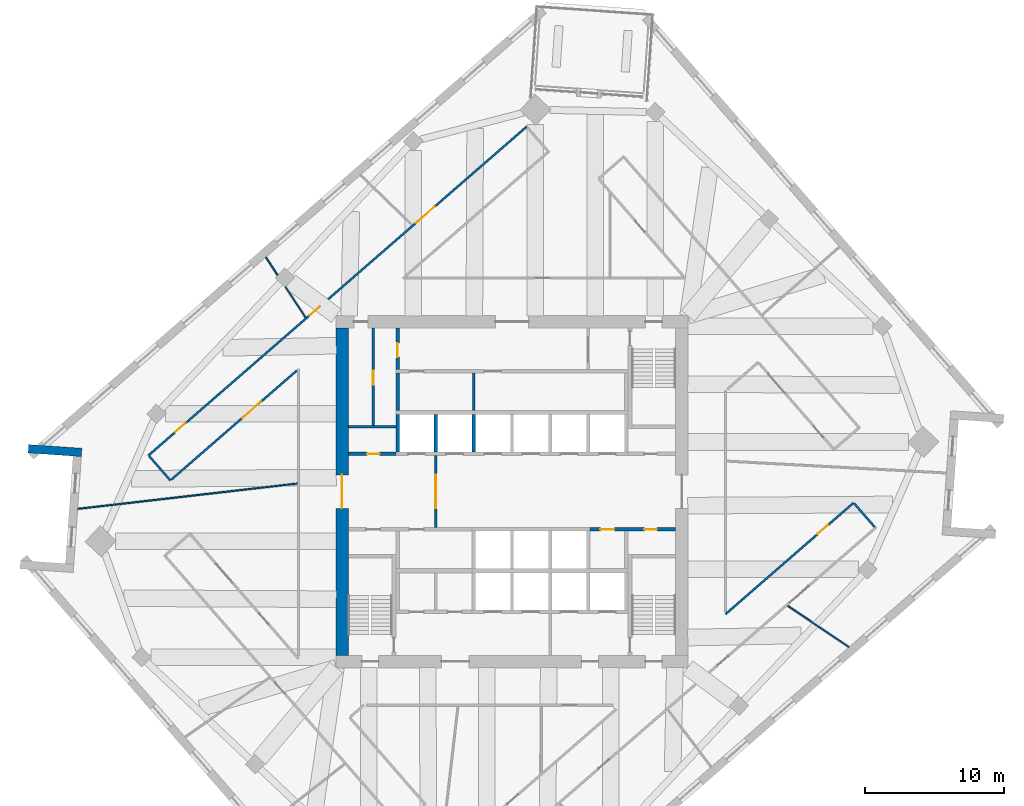
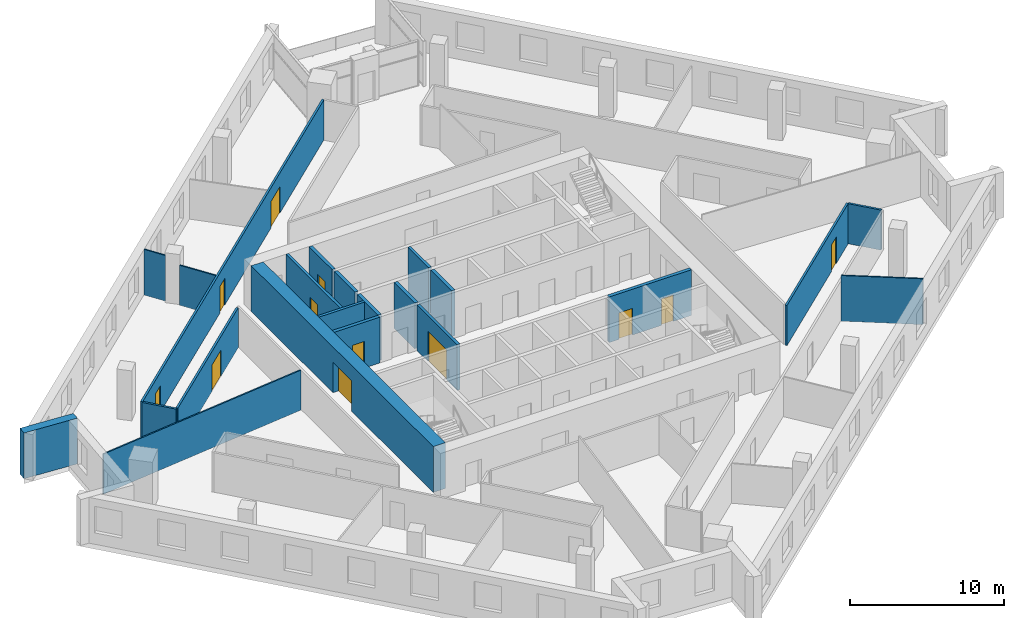
# One storey, part 6 of 11: 22 walls, 12 doors, 12 openings.
"""IFC4 building model written with IfcOpenShell, lengths in metres."""

import ifcopenshell
import ifcopenshell.guid

model = None  # the IFC model being written
_history = None  # IfcOwnerHistory: only IFC2X3 demands one
_inside = {}  # id of a spatial element -> (the spatial element, [elements in it])
_under = {}  # id of a project, library or spatial element -> (it, [spatial elements below it])
_declared = {}  # id of a project -> (the project, [libraries it declares])
_typed = {}  # id of a type object -> (the type object, [elements of that type])
_made_of = {}  # id of a material, layer set ... -> (it, [elements and type objects made of it])


def new_model(schema):
    """Start an empty IFC model of exactly this schema.

    Asked for "IFC4X3", IfcOpenShell would pick the latest addendum, in which some entities
    have other attributes; the version numbers below select the first issue.
    IFC2X3 requires an IfcOwnerHistory on every rooted entity: one is made here for all.
    """
    global model, _history
    if schema == "IFC4X3":
        model = ifcopenshell.file(schema_version=(4, 3, 0, 0))
    else:
        model = ifcopenshell.file(schema=schema)
    _inside.clear()
    _under.clear()
    _declared.clear()
    _typed.clear()
    _made_of.clear()
    _history = None
    if model.schema == "IFC2X3":
        org = make("IfcOrganization", Name="unknown")
        user = make(
            "IfcPersonAndOrganization",
            ThePerson=make("IfcPerson", FamilyName="unknown"),
            TheOrganization=org,
        )
        app = make(
            "IfcApplication",
            ApplicationDeveloper=org,
            Version="unknown",
            ApplicationFullName="unknown",
            ApplicationIdentifier="unknown",
        )
        _history = make(
            "IfcOwnerHistory",
            OwningUser=user,
            OwningApplication=app,
            ChangeAction="ADDED",
            CreationDate=0,
        )
    return model


def make(cls, **values):
    """One entity of the class cls with the attributes given. An attribute that is None is left unset."""
    return model.create_entity(
        cls, **{name: value for name, value in values.items() if value is not None}
    )


def rooted(cls, **values):
    """An entity with a GlobalId (a new one), such as an element, a storey or a relation."""
    return make(cls, GlobalId=ifcopenshell.guid.new(), OwnerHistory=_history, **values)


def si_unit(unit_type, name, prefix=None):
    """IfcSIUnit, for example si_unit("LENGTHUNIT", "METRE", prefix="MILLI")."""
    return make("IfcSIUnit", UnitType=unit_type, Prefix=prefix, Name=name)


def assignment(units):
    """IfcUnitAssignment: the units of a project."""
    return None if units is None else make("IfcUnitAssignment", Units=units)


def point(xyz):
    """IfcCartesianPoint."""
    return None if xyz is None else make("IfcCartesianPoint", Coordinates=xyz)


def direction(xyz):
    """IfcDirection."""
    return None if xyz is None else make("IfcDirection", DirectionRatios=xyz)


def frame(location, z_axis=None, x_axis=None):
    """IfcAxis2Placement3D, a coordinate frame: its origin and axes. An axis left out is left unset."""
    return make(
        "IfcAxis2Placement3D",
        Location=point(location),
        Axis=direction(z_axis),
        RefDirection=direction(x_axis),
    )


def frame_2d(location, x_axis=None):
    """IfcAxis2Placement2D, a coordinate frame in the plane: its origin and x axis."""
    return make(
        "IfcAxis2Placement2D", Location=point(location), RefDirection=direction(x_axis)
    )


def origin():
    """The frame at (0, 0, 0) with its axes left unset."""
    return frame((0.0, 0.0, 0.0))


def place(relative_to, where):
    """IfcLocalPlacement: puts the frame where relative to a parent placement (None: the world)."""
    return make(
        "IfcLocalPlacement", PlacementRelTo=relative_to, RelativePlacement=where
    )


def context(
    kind, dimensions, precision=None, world=None, true_north=None, identifier=None
):
    """IfcGeometricRepresentationContext, for example the 3D "Model" context."""
    return make(
        "IfcGeometricRepresentationContext",
        ContextIdentifier=identifier,
        ContextType=kind,
        CoordinateSpaceDimension=dimensions,
        Precision=precision,
        WorldCoordinateSystem=world,
        TrueNorth=true_north,
    )


def subcontext(parent, identifier, kind, view, scale=None):
    """IfcGeometricRepresentationSubContext, for example "Body" below "Model"."""
    return make(
        "IfcGeometricRepresentationSubContext",
        ContextIdentifier=identifier,
        ContextType=kind,
        ParentContext=parent,
        TargetScale=scale,
        TargetView=view,
    )


def project(units=None, contexts=None):
    """IfcProject with its units and contexts."""
    return rooted(
        "IfcProject",
        Name="project",
        RepresentationContexts=contexts,
        UnitsInContext=assignment(units),
    )


def spatial(cls, under=None, at=None, **own):
    """A site, building, storey or space (cls), placed at a placement, below another one or the project."""
    s = rooted(cls, ObjectPlacement=at, **own)
    if under is not None:
        _under.setdefault(under.id(), (under, []))[1].append(s)
    return s


def profile(cls, at=None, kind="AREA", **sizes):
    """A parametric profile (cls). Its sizes go by their IFC names, for example OverallWidth=200.0."""
    return make(cls, ProfileType=kind, Position=at, **sizes)


def rectangle(**sizes):
    """IfcRectangleProfileDef."""
    return profile("IfcRectangleProfileDef", **sizes)


def extrude(swept, where, along, depth):
    """IfcExtrudedAreaSolid: the profile swept, set in the frame where, extruded along a direction by depth."""
    return make(
        "IfcExtrudedAreaSolid",
        SweptArea=swept,
        Position=where,
        ExtrudedDirection=direction(along),
        Depth=depth,
    )


def shape(context_of_items, identifier, shape_type, items):
    """IfcShapeRepresentation: the items that make up one representation, for example the "Body"."""
    return make(
        "IfcShapeRepresentation",
        ContextOfItems=context_of_items,
        RepresentationIdentifier=identifier,
        RepresentationType=shape_type,
        Items=items,
    )


def material(Name=None, Category=None):
    """IfcMaterial."""
    return make("IfcMaterial", Name=Name, Category=Category)


def layer(
    of_material, thickness, ventilated=None, Name=None, Category=None, Priority=None
):
    """IfcMaterialLayer: one layer of a wall or slab, of a material (None: an air gap)."""
    return make(
        "IfcMaterialLayer",
        Material=of_material,
        LayerThickness=thickness,
        IsVentilated=ventilated,
        Name=Name,
        Category=Category,
        Priority=Priority,
    )


def layer_set(layers, Name=None):
    """IfcMaterialLayerSet."""
    return make("IfcMaterialLayerSet", MaterialLayers=layers, LayerSetName=Name)


def made_of(thing, what):
    """Note that an element or type object is made of a material, layer set ...; save() writes the relation."""
    if what is not None:
        _made_of.setdefault(what.id(), (what, []))[1].append(thing)
    return thing


def type_object(cls, material=None, **own):
    """A type object (cls), such as IfcWallType, which elements share."""
    return made_of(rooted(cls, **own), material)


def element(
    cls,
    number,
    at=None,
    inside=None,
    cuts=None,
    type_object=None,
    material=None,
    context=None,
    identifier="Body",
    shape_type=None,
    held_by="IfcProductDefinitionShape",
    body=None,
    shapes=None,
    **own,
):
    """One element of the class cls, such as IfcWall. Its Tag is "e" and its number.

    at: its placement. inside: the storey or other place that contains it. cuts: it is an
    opening in that element (IfcRelVoidsElement). A single representation is given by context,
    identifier, shape_type and body (its items); several are given by shapes. held_by: the class
    of the entity that holds the representations. save() writes the other relations.
    """
    e = rooted(cls, Tag="e%d" % number, ObjectPlacement=at, **own)
    if body is not None:
        shapes = [shape(context, identifier, shape_type, body)]
    if shapes is not None:
        e.Representation = make(held_by, Representations=shapes)
    if inside is not None:
        _inside.setdefault(inside.id(), (inside, []))[1].append(e)
    if cuts is not None:
        rooted(
            "IfcRelVoidsElement", RelatingBuildingElement=cuts, RelatedOpeningElement=e
        )
    if type_object is not None:
        _typed.setdefault(type_object.id(), (type_object, []))[1].append(e)
    return made_of(e, material)


def fill(opening, filler):
    """IfcRelFillsElement: the door or window that sits in an opening."""
    return rooted(
        "IfcRelFillsElement",
        RelatingOpeningElement=opening,
        RelatedBuildingElement=filler,
    )


def aggregate(whole, parts):
    """IfcRelAggregates: a whole, such as a stair, and the parts it consists of."""
    return rooted("IfcRelAggregates", RelatingObject=whole, RelatedObjects=parts)


def save(model, path):
    """Write the relations noted so far, then the file.

    IfcRelAggregates (storeys below a building ...), IfcRelContainedInSpatialStructure (elements
    in a storey), IfcRelDefinesByType, IfcRelAssociatesMaterial and IfcRelDeclares: one each for
    every whole, place, type object, material and project.
    """
    for whole, parts in _under.values():
        aggregate(whole, parts)
    for where, things in _inside.values():
        rooted(
            "IfcRelContainedInSpatialStructure",
            RelatedElements=things,
            RelatingStructure=where,
        )
    for kind, things in _typed.values():
        rooted("IfcRelDefinesByType", RelatedObjects=things, RelatingType=kind)
    for what, things in _made_of.values():
        rooted("IfcRelAssociatesMaterial", RelatedObjects=things, RelatingMaterial=what)
    for by, libraries in _declared.values():
        rooted("IfcRelDeclares", RelatingContext=by, RelatedDefinitions=libraries)
    model.write(path)


model = new_model("IFC4")

# Units and contexts
model_context = context("Model", 3, precision=1e-05, world=origin(), true_north=direction((0.0, 1.0)))
body_context = subcontext(model_context, "Body", "Model", "MODEL_VIEW")
ifc_project = project(units=[si_unit("LENGTHUNIT", "METRE"), si_unit("AREAUNIT", "SQUARE_METRE"), si_unit("VOLUMEUNIT", "CUBIC_METRE"), si_unit("PLANEANGLEUNIT", "RADIAN"), si_unit("MASSUNIT", "GRAM", prefix="KILO")], contexts=[model_context])

# Site, building, storey
site_placement = place(None, origin())
site = spatial("IfcSite", under=ifc_project, at=site_placement, CompositionType="ELEMENT")
building_placement = place(site_placement, origin())
building = spatial("IfcBuilding", under=site, at=building_placement, Name="Dilmun Exchange Tower", CompositionType="ELEMENT")
storey_placement = place(building_placement, frame((0.0, 0.0, 193.300048828125)))
storey = spatial("IfcBuildingStorey", under=building, at=storey_placement, Name="L45", CompositionType="ELEMENT", Elevation=193.300048828125)

# Wall, opening, door
ifc_material_1 = material(Name="Concrete C40/50", Category="concrete")
ifc_layer_1 = layer(ifc_material_1, 0.199951171875)
ifc_layer_set_1 = layer_set([ifc_layer_1], Name="Concrete C40/50")
wall_type_1 = type_object("IfcWallType", Name="Core partition wall 200", PredefinedType="PARTITIONING", material=ifc_layer_set_1)
wall_1_placement = place(storey_placement, frame((-5.5, -2.594970703125, 0.0), z_axis=(0.0, 0.0, 1.0), x_axis=(0.0, 1.0, 0.0)))
wall_1 = element("IfcWall", 1, at=wall_1_placement, inside=storey, type_object=wall_type_1, Name="L45 core partition wall 10", PredefinedType="PARTITIONING", context=body_context, shape_type="SweptSolid", body=[
    extrude(rectangle(XDim=5.18994140625, YDim=0.199951171875, at=frame_2d((2.594970703125, 0.0))), origin(), (0.0, 0.0, 1.0), 3.619873046875),
])
opening_1_placement = place(wall_1_placement, frame((1.39501953125, 0.0, 0.0)))
opening_1 = element("IfcOpeningElement", 2, at=opening_1_placement, cuts=wall_1, Name="Opening CD1", PredefinedType="OPENING", context=body_context, shape_type="SweptSolid", body=[
    extrude(rectangle(XDim=2.39990234375, YDim=2.39990234375, at=frame_2d((1.199951171875, 1.199951171875))), frame((0.0, 0.10986328125, 0.0), z_axis=(0.0, -1.0, 0.0), x_axis=(1.0, 0.0, 0.0)), (0.0, 0.0, 1.0), 0.219970703125),
])
ifc_material_2 = material(Name="Fire-rated steel door set", Category="steel")
door_type_1 = type_object("IfcDoorType", Name="Core lobby door 2400x2400", OperationType="DOUBLE_DOOR_DOUBLE_SWING", PredefinedType="DOOR", material=ifc_material_2)
door_1_placement = place(opening_1_placement, origin())
door_1 = element("IfcDoor", 3, at=door_1_placement, inside=storey, type_object=door_type_1, Name="L45 door Lift lobby east", OperationType="DOUBLE_DOOR_DOUBLE_SWING", OverallHeight=2.39990234375, OverallWidth=2.39990234375, PredefinedType="DOOR", context=body_context, shape_type="SweptSolid", body=[
    extrude(rectangle(XDim=2.39990234375, YDim=2.39990234375, at=frame_2d((1.199951171875, 1.199951171875))), frame((0.0, 0.02490234375, 0.0), z_axis=(0.0, -1.0, 0.0), x_axis=(1.0, 0.0, 0.0)), (0.0, 0.0, 1.0), 0.050048828125),
])
fill(opening_1, door_1)

# Wall
wall_2_placement = place(storey_placement, frame((-11.794921875, 4.675048828125, 0.0), z_axis=(0.0, 0.0, 1.0), x_axis=(1.0, 0.0, 0.0)))
element("IfcWall", 4, at=wall_2_placement, inside=storey, type_object=wall_type_1, Name="L45 core partition wall 13", PredefinedType="PARTITIONING", context=body_context, shape_type="SweptSolid", body=[
    extrude(rectangle(XDim=3.4150390625, YDim=0.199951171875, at=frame_2d((1.70751953125, 0.0))), origin(), (0.0, 0.0, 1.0), 3.619873046875),
])

# Wall, opening, door
wall_3_placement = place(storey_placement, frame((-10.0, 4.780029296875, 0.0), z_axis=(0.0, 0.0, 1.0), x_axis=(0.0, 1.0, 0.0)))
wall_3 = element("IfcWall", 5, at=wall_3_placement, inside=storey, type_object=wall_type_1, Name="L45 core partition wall 14", PredefinedType="PARTITIONING", context=body_context, shape_type="SweptSolid", body=[
    extrude(rectangle(XDim=7.014892578125, YDim=0.199951171875, at=frame_2d((3.50732421875, 0.0))), origin(), (0.0, 0.0, 1.0), 3.619873046875),
])
opening_2_placement = place(wall_3_placement, frame((2.919921875, 0.0, 0.0)))
opening_2 = element("IfcOpeningElement", 6, at=opening_2_placement, cuts=wall_3, Name="Opening CD4", PredefinedType="OPENING", context=body_context, shape_type="SweptSolid", body=[
    extrude(rectangle(XDim=1.0, YDim=2.10009765625, at=frame_2d((0.5, 1.050048828125))), frame((0.0, 0.10986328125, 0.0), z_axis=(0.0, -1.0, 0.0), x_axis=(1.0, 0.0, 0.0)), (0.0, 0.0, 1.0), 0.219970703125),
])
door_type_2 = type_object("IfcDoorType", Name="Core room door 1000x2100", OperationType="SINGLE_SWING_LEFT", PredefinedType="DOOR", material=ifc_material_2)
door_2_placement = place(opening_2_placement, origin())
door_2 = element("IfcDoor", 7, at=door_2_placement, inside=storey, type_object=door_type_2, Name="L45 door Comms room", OperationType="SINGLE_SWING_RIGHT", OverallHeight=2.10009765625, OverallWidth=1.0, PredefinedType="DOOR", context=body_context, shape_type="SweptSolid", body=[
    extrude(rectangle(XDim=1.0, YDim=2.10009765625, at=frame_2d((0.5, 1.050048828125))), frame((0.0, 0.02490234375, 0.0), z_axis=(0.0, -1.0, 0.0), x_axis=(1.0, 0.0, 0.0)), (0.0, 0.0, 1.0), 0.050048828125),
])
fill(opening_2, door_2)

# Wall
wall_4_placement = place(storey_placement, frame((-2.75, 5.85498046875, 0.0), z_axis=(0.0, 0.0, 1.0), x_axis=(0.0, 1.0, 0.0)))
element("IfcWall", 8, at=wall_4_placement, inside=storey, type_object=wall_type_1, Name="L45 core partition wall 16", PredefinedType="PARTITIONING", context=body_context, shape_type="SweptSolid", body=[
    extrude(rectangle(XDim=2.68994140625, YDim=0.199951171875, at=frame_2d((1.344970703125, 0.0))), origin(), (0.0, 0.0, 1.0), 3.619873046875),
])

# Wall, openings, doors
ifc_layer_2 = layer(ifc_material_1, 0.25)
ifc_layer_set_2 = layer_set([ifc_layer_2], Name="Concrete C40/50")
wall_type_2 = type_object("IfcWallType", Name="Core partition wall 250", PredefinedType="PARTITIONING", material=ifc_layer_set_2)
wall_5_placement = place(storey_placement, frame((5.6298828125, -2.72509765625, 0.0), z_axis=(0.0, 0.0, 1.0), x_axis=(1.0, 0.0, 0.0)))
wall_5 = element("IfcWall", 9, at=wall_5_placement, inside=storey, type_object=wall_type_2, Name="L45 core partition wall 09", PredefinedType="PARTITIONING", context=body_context, shape_type="SweptSolid", body=[
    extrude(rectangle(XDim=6.1650390625, YDim=0.25, at=frame_2d((3.08251953125, 0.0))), origin(), (0.0, 0.0, 1.0), 3.619873046875),
])
opening_3_placement = place(wall_5_placement, frame((0.7451171875, 0.0, 0.0)))
opening_3 = element("IfcOpeningElement", 10, at=opening_3_placement, cuts=wall_5, Name="Opening CD4", PredefinedType="OPENING", context=body_context, shape_type="SweptSolid", body=[
    extrude(rectangle(XDim=1.0, YDim=2.10009765625, at=frame_2d((0.5, 1.050048828125))), frame((0.0, 0.135009765625, 0.0), z_axis=(0.0, -1.0, 0.0), x_axis=(1.0, 0.0, 0.0)), (0.0, 0.0, 1.0), 0.27001953125),
])
opening_4_placement = place(wall_5_placement, frame((3.919921875, 0.0, 0.0)))
opening_4 = element("IfcOpeningElement", 11, at=opening_4_placement, cuts=wall_5, Name="Opening CD6", PredefinedType="OPENING", context=body_context, shape_type="SweptSolid", body=[
    extrude(rectangle(XDim=0.89990234375, YDim=2.10009765625, at=frame_2d((0.449951171875, 1.050048828125))), frame((0.0, 0.135009765625, 0.0), z_axis=(0.0, -1.0, 0.0), x_axis=(1.0, 0.0, 0.0)), (0.0, 0.0, 1.0), 0.27001953125),
])
door_3_placement = place(opening_3_placement, origin())
door_3 = element("IfcDoor", 12, at=door_3_placement, inside=storey, type_object=door_type_2, Name="L45 door Cleaners' store", OperationType="SINGLE_SWING_RIGHT", OverallHeight=2.10009765625, OverallWidth=1.0, PredefinedType="DOOR", context=body_context, shape_type="SweptSolid", body=[
    extrude(rectangle(XDim=1.0, YDim=2.10009765625, at=frame_2d((0.5, 1.050048828125))), frame((0.0, 0.02490234375, 0.0), z_axis=(0.0, -1.0, 0.0), x_axis=(1.0, 0.0, 0.0)), (0.0, 0.0, 1.0), 0.050048828125),
])
fill(opening_3, door_3)
door_type_3 = type_object("IfcDoorType", Name="Core room door 900x2100", OperationType="SINGLE_SWING_LEFT", PredefinedType="DOOR", material=ifc_material_2)
door_4_placement = place(opening_4_placement, origin())
door_4 = element("IfcDoor", 13, at=door_4_placement, inside=storey, type_object=door_type_3, Name="L45 door Comms riser", OperationType="SINGLE_SWING_RIGHT", OverallHeight=2.10009765625, OverallWidth=0.89990234375, PredefinedType="DOOR", context=body_context, shape_type="SweptSolid", body=[
    extrude(rectangle(XDim=0.89990234375, YDim=2.10009765625, at=frame_2d((0.449951171875, 1.050048828125))), frame((0.0, 0.02490234375, 0.0), z_axis=(0.0, -1.0, 0.0), x_axis=(1.0, 0.0, 0.0)), (0.0, 0.0, 1.0), 0.050048828125),
])
fill(opening_4, door_4)

# Wall, opening, door
wall_6_placement = place(storey_placement, frame((-11.794921875, 2.72509765625, 0.0), z_axis=(0.0, 0.0, 1.0), x_axis=(1.0, 0.0, 0.0)))
wall_6 = element("IfcWall", 14, at=wall_6_placement, inside=storey, type_object=wall_type_2, Name="L45 core partition wall 11", PredefinedType="PARTITIONING", context=body_context, shape_type="SweptSolid", body=[
    extrude(rectangle(XDim=3.4150390625, YDim=0.25, at=frame_2d((1.70751953125, 0.0))), origin(), (0.0, 0.0, 1.0), 3.619873046875),
])
opening_5_placement = place(wall_6_placement, frame((1.344970703125, 0.0, 0.0)))
opening_5 = element("IfcOpeningElement", 15, at=opening_5_placement, cuts=wall_6, Name="Opening CD6", PredefinedType="OPENING", context=body_context, shape_type="SweptSolid", body=[
    extrude(rectangle(XDim=0.89990234375, YDim=2.10009765625, at=frame_2d((0.449951171875, 1.050048828125))), frame((0.0, 0.135009765625, 0.0), z_axis=(0.0, -1.0, 0.0), x_axis=(1.0, 0.0, 0.0)), (0.0, 0.0, 1.0), 0.27001953125),
])
door_5_placement = place(opening_5_placement, origin())
door_5 = element("IfcDoor", 16, at=door_5_placement, inside=storey, type_object=door_type_3, Name="L45 door Plumbing riser", OperationType="SINGLE_SWING_RIGHT", OverallHeight=2.10009765625, OverallWidth=0.89990234375, PredefinedType="DOOR", context=body_context, shape_type="SweptSolid", body=[
    extrude(rectangle(XDim=0.89990234375, YDim=2.10009765625, at=frame_2d((0.449951171875, 1.050048828125))), frame((0.0, 0.02490234375, 0.0), z_axis=(0.0, -1.0, 0.0), x_axis=(1.0, 0.0, 0.0)), (0.0, 0.0, 1.0), 0.050048828125),
])
fill(opening_5, door_5)

# Wall
wall_7_placement = place(storey_placement, frame((-8.25, 5.85498046875, 0.0), z_axis=(0.0, 0.0, 1.0), x_axis=(0.0, 1.0, 0.0)))
element("IfcWall", 17, at=wall_7_placement, inside=storey, type_object=wall_type_2, Name="L45 core partition wall 15", PredefinedType="PARTITIONING", context=body_context, shape_type="SweptSolid", body=[
    extrude(rectangle(XDim=2.68994140625, YDim=0.25, at=frame_2d((1.344970703125, 0.0))), origin(), (0.0, 0.0, 1.0), 3.619873046875),
])

# Wall, opening, door
wall_8_placement = place(storey_placement, frame((-8.25, 8.804931640625, 0.0), z_axis=(0.0, 0.0, 1.0), x_axis=(0.0, 1.0, 0.0)))
wall_8 = element("IfcWall", 18, at=wall_8_placement, inside=storey, type_object=wall_type_2, Name="L45 core partition wall 19", PredefinedType="PARTITIONING", context=body_context, shape_type="SweptSolid", body=[
    extrude(rectangle(XDim=2.989990234375, YDim=0.25, at=frame_2d((1.4951171875, 0.0))), origin(), (0.0, 0.0, 1.0), 3.619873046875),
])
opening_6_placement = place(wall_8_placement, frame((0.89501953125, 0.0, 0.0)))
opening_6 = element("IfcOpeningElement", 19, at=opening_6_placement, cuts=wall_8, Name="Opening CD4", PredefinedType="OPENING", context=body_context, shape_type="SweptSolid", body=[
    extrude(rectangle(XDim=1.0, YDim=2.10009765625, at=frame_2d((0.5, 1.050048828125))), frame((0.0, 0.135009765625, 0.0), z_axis=(0.0, -1.0, 0.0), x_axis=(1.0, 0.0, 0.0)), (0.0, 0.0, 1.0), 0.27001953125),
])
door_6_placement = place(opening_6_placement, origin())
door_6 = element("IfcDoor", 20, at=door_6_placement, inside=storey, type_object=door_type_2, Name="L45 door Security room", OperationType="SINGLE_SWING_RIGHT", OverallHeight=2.10009765625, OverallWidth=1.0, PredefinedType="DOOR", context=body_context, shape_type="SweptSolid", body=[
    extrude(rectangle(XDim=1.0, YDim=2.10009765625, at=frame_2d((0.5, 1.050048828125))), frame((0.0, 0.02490234375, 0.0), z_axis=(0.0, -1.0, 0.0), x_axis=(1.0, 0.0, 0.0)), (0.0, 0.0, 1.0), 0.050048828125),
])
fill(opening_6, door_6)

ifc_material_3 = material(Name="Concrete C60/75", Category="concrete")
ifc_layer_3 = layer(ifc_material_3, 0.89990234375)
ifc_layer_set_3 = layer_set([ifc_layer_3], Name="Concrete C60/75")
wall_type_3 = type_object("IfcWallType", Name="Core shear wall 900 Concrete C60/75", PredefinedType="SHEAR", material=ifc_layer_set_3)
wall_9_placement = place(storey_placement, frame((-12.25, -11.800048828125, 0.0), z_axis=(0.0, 0.0, 1.0), x_axis=(0.0, 1.0, 0.0)))
wall_9 = element("IfcWall", 21, at=wall_9_placement, inside=storey, type_object=wall_type_3, Name="L45 core shear wall W", PredefinedType="SHEAR", context=body_context, shape_type="SweptSolid", body=[
    extrude(rectangle(XDim=23.60009765625, YDim=0.89990234375, at=frame_2d((11.800048828125, 0.0))), origin(), (0.0, 0.0, 1.0), 3.619873046875),
])
opening_7_placement = place(wall_9_placement, frame((10.60009765625, 0.0, 0.0)))
opening_7 = element("IfcOpeningElement", 22, at=opening_7_placement, cuts=wall_9, Name="Opening CD1", PredefinedType="OPENING", context=body_context, shape_type="SweptSolid", body=[
    extrude(rectangle(XDim=2.39990234375, YDim=2.39990234375, at=frame_2d((1.199951171875, 1.199951171875))), frame((0.0, 0.4599609375, 0.0), z_axis=(0.0, -1.0, 0.0), x_axis=(1.0, 0.0, 0.0)), (0.0, 0.0, 1.0), 0.919921875),
])
door_7_placement = place(opening_7_placement, origin())
door_7 = element("IfcDoor", 23, at=door_7_placement, inside=storey, type_object=door_type_1, Name="L45 door Central lift lobby", OperationType="SINGLE_SWING_LEFT", OverallHeight=2.39990234375, OverallWidth=2.39990234375, PredefinedType="DOOR", context=body_context, shape_type="SweptSolid", body=[
    extrude(rectangle(XDim=2.39990234375, YDim=2.39990234375, at=frame_2d((1.199951171875, 1.199951171875))), frame((0.0, 0.02490234375, 0.0), z_axis=(0.0, -1.0, 0.0), x_axis=(1.0, 0.0, 0.0)), (0.0, 0.0, 1.0), 0.050048828125),
])
fill(opening_7, door_7)

# Wall, openings, doors
ifc_material_4 = material(Name="Corridor wall 150")
ifc_layer_4 = layer(ifc_material_4, 0.14990234375)
ifc_layer_set_4 = layer_set([ifc_layer_4], Name="Corridor wall 150")
wall_type_4 = type_object("IfcWallType", Name="Corridor wall 150", PredefinedType="PARTITIONING", material=ifc_layer_set_4)
wall_10_placement = place(storey_placement, frame((-26.2080078125, 2.615966796875, 0.0), z_axis=(0.0, 0.0, 1.0), x_axis=(0.754710701231, 0.656057739416, 0.0)))
wall_10 = element("IfcWall", 24, at=wall_10_placement, inside=storey, type_object=wall_type_4, Name="Corridor wall", PredefinedType="PARTITIONING", context=body_context, shape_type="SweptSolid", body=[
    extrude(rectangle(XDim=36.126220703125, YDim=0.14990234375, at=frame_2d((18.06298828125, 0.0))), origin(), (0.0, 0.0, 1.0), 3.169921875),
])
opening_8_placement = place(wall_10_placement, frame((2.550537109375, 0.0, 0.0)))
opening_8 = element("IfcOpeningElement", 25, at=opening_8_placement, cuts=wall_10, Name="Opening TF44-D04", PredefinedType="OPENING", context=body_context, shape_type="SweptSolid", body=[
    extrude(rectangle(XDim=1.0, YDim=2.10009765625, at=frame_2d((0.5, 1.050048828125))), frame((0.0, 0.0849609375, 0.0), z_axis=(0.0, -1.0, 0.0), x_axis=(1.0, 0.0, 0.0)), (0.0, 0.0, 1.0), 0.169921875),
])
opening_9_placement = place(wall_10_placement, frame((15.36181640625, 0.0, 0.0)))
opening_9 = element("IfcOpeningElement", 26, at=opening_9_placement, cuts=wall_10, Name="Opening TF44-D06", PredefinedType="OPENING", context=body_context, shape_type="SweptSolid", body=[
    extrude(rectangle(XDim=1.0, YDim=2.10009765625, at=frame_2d((0.5, 1.050048828125))), frame((0.0, 0.0849609375, 0.0), z_axis=(0.0, -1.0, 0.0), x_axis=(1.0, 0.0, 0.0)), (0.0, 0.0, 1.0), 0.169921875),
])
opening_10_placement = place(wall_10_placement, frame((25.54150390625, 0.0, 0.0)))
opening_10 = element("IfcOpeningElement", 27, at=opening_10_placement, cuts=wall_10, Name="Opening TF44-D10", PredefinedType="OPENING", context=body_context, shape_type="SweptSolid", body=[
    extrude(rectangle(XDim=1.800048828125, YDim=2.10009765625, at=frame_2d((0.89990234375, 1.050048828125))), frame((0.0, 0.0849609375, 0.0), z_axis=(0.0, -1.0, 0.0), x_axis=(1.0, 0.0, 0.0)), (0.0, 0.0, 1.0), 0.169921875),
])
ifc_material_5 = material(Name="Fire door 1000 x 2100")
door_type_4 = type_object("IfcDoorType", Name="Fire door 1000 x 2100", OperationType="NOTDEFINED", PredefinedType="DOOR", material=ifc_material_5)
door_8_placement = place(opening_8_placement, origin())
door_8 = element("IfcDoor", 28, at=door_8_placement, inside=storey, type_object=door_type_4, Name="Door TF44-D04", OperationType="SINGLE_SWING_LEFT", OverallHeight=2.10009765625, OverallWidth=1.0, PredefinedType="DOOR", context=body_context, shape_type="SweptSolid", body=[
    extrude(rectangle(XDim=1.0, YDim=2.10009765625, at=frame_2d((0.5, 1.050048828125))), frame((0.0, 0.02490234375, 0.0), z_axis=(0.0, -1.0, 0.0), x_axis=(1.0, 0.0, 0.0)), (0.0, 0.0, 1.0), 0.050048828125),
])
fill(opening_8, door_8)
door_9_placement = place(opening_9_placement, origin())
door_9 = element("IfcDoor", 29, at=door_9_placement, inside=storey, type_object=door_type_4, Name="Door TF44-D06", OperationType="SINGLE_SWING_RIGHT", OverallHeight=2.10009765625, OverallWidth=1.0, PredefinedType="DOOR", context=body_context, shape_type="SweptSolid", body=[
    extrude(rectangle(XDim=1.0, YDim=2.10009765625, at=frame_2d((0.5, 1.050048828125))), frame((0.0, 0.02490234375, 0.0), z_axis=(0.0, -1.0, 0.0), x_axis=(1.0, 0.0, 0.0)), (0.0, 0.0, 1.0), 0.050048828125),
])
fill(opening_9, door_9)
ifc_material_6 = material(Name="Fire door pair 1800 x 2100")
door_type_5 = type_object("IfcDoorType", Name="Fire door pair 1800 x 2100", OperationType="NOTDEFINED", PredefinedType="DOOR", material=ifc_material_6)
door_10_placement = place(opening_10_placement, origin())
door_10 = element("IfcDoor", 30, at=door_10_placement, inside=storey, type_object=door_type_5, Name="Door TF44-D10", OperationType="DOUBLE_DOOR_SINGLE_SWING", OverallHeight=2.10009765625, OverallWidth=1.800048828125, PredefinedType="DOOR", context=body_context, shape_type="SweptSolid", body=[
    extrude(rectangle(XDim=1.800048828125, YDim=2.10009765625, at=frame_2d((0.89990234375, 1.050048828125))), frame((0.0, 0.02490234375, 0.0), z_axis=(0.0, -1.0, 0.0), x_axis=(1.0, 0.0, 0.0)), (0.0, 0.0, 1.0), 0.050048828125),
])
fill(opening_10, door_10)

# Wall
wall_11_placement = place(storey_placement, frame((-26.15869140625, 2.559326171875, 0.0), z_axis=(0.0, 0.0, 1.0), x_axis=(0.65619691316, -0.754589697226, 0.0)))
element("IfcWall", 31, at=wall_11_placement, inside=storey, type_object=wall_type_4, Name="Corridor wall", PredefinedType="PARTITIONING", context=body_context, shape_type="SweptSolid", body=[
    extrude(rectangle(XDim=2.324951171875, YDim=0.14990234375, at=frame_2d((1.16259765625, 0.0))), origin(), (0.0, 0.0, 1.0), 3.169921875),
])

# Wall, opening, door
wall_12_placement = place(storey_placement, frame((-24.576416015625, 0.854248046875, 0.0), z_axis=(0.0, 0.0, 1.0), x_axis=(0.75472382762, 0.656042638875, 0.0)))
wall_12 = element("IfcWall", 32, at=wall_12_placement, inside=storey, type_object=wall_type_4, Name="Corridor wall", PredefinedType="PARTITIONING", context=body_context, shape_type="SweptSolid", body=[
    extrude(rectangle(XDim=11.994140625, YDim=0.14990234375, at=frame_2d((5.9970703125, 0.0))), origin(), (0.0, 0.0, 1.0), 3.169921875),
])
opening_11_placement = place(wall_12_placement, frame((6.800048828125, 0.0, 0.0)))
opening_11 = element("IfcOpeningElement", 33, at=opening_11_placement, cuts=wall_12, Name="Opening TF44-D03", PredefinedType="OPENING", context=body_context, shape_type="SweptSolid", body=[
    extrude(rectangle(XDim=1.800048828125, YDim=2.10009765625, at=frame_2d((0.89990234375, 1.050048828125))), frame((0.0, 0.0849609375, 0.0), z_axis=(0.0, -1.0, 0.0), x_axis=(1.0, 0.0, 0.0)), (0.0, 0.0, 1.0), 0.169921875),
])
door_11_placement = place(opening_11_placement, frame((1.800048828125, 0.0, 0.0), z_axis=(0.0, 0.0, 1.0), x_axis=(-1.0, 0.0, 0.0)))
door_11 = element("IfcDoor", 34, at=door_11_placement, inside=storey, type_object=door_type_5, Name="Door TF44-D03", OperationType="DOUBLE_DOOR_SINGLE_SWING", OverallHeight=2.10009765625, OverallWidth=1.800048828125, PredefinedType="DOOR", context=body_context, shape_type="SweptSolid", body=[
    extrude(rectangle(XDim=1.800048828125, YDim=2.10009765625, at=frame_2d((0.89990234375, 1.050048828125))), frame((0.0, 0.02490234375, 0.0), z_axis=(0.0, -1.0, 0.0), x_axis=(1.0, 0.0, 0.0)), (0.0, 0.0, 1.0), 0.050048828125),
])
fill(opening_11, door_11)

wall_13_placement = place(storey_placement, frame((15.39990234375, -8.8310546875, 0.0), z_axis=(0.0, 0.0, 1.0), x_axis=(0.754715065445, 0.656052718911, 0.0)))
wall_13 = element("IfcWall", 35, at=wall_13_placement, inside=storey, type_object=wall_type_4, Name="Corridor wall", PredefinedType="PARTITIONING", context=body_context, shape_type="SweptSolid", body=[
    extrude(rectangle(XDim=12.23388671875, YDim=0.14990234375, at=frame_2d((6.116943359375, 0.0))), origin(), (0.0, 0.0, 1.0), 3.169921875),
])
opening_12_placement = place(wall_13_placement, frame((8.800048828125, 0.0, 0.0)))
opening_12 = element("IfcOpeningElement", 36, at=opening_12_placement, cuts=wall_13, Name="Opening TF44-D16", PredefinedType="OPENING", context=body_context, shape_type="SweptSolid", body=[
    extrude(rectangle(XDim=1.0, YDim=2.10009765625, at=frame_2d((0.5, 1.050048828125))), frame((0.0, 0.0849609375, 0.0), z_axis=(0.0, -1.0, 0.0), x_axis=(1.0, 0.0, 0.0)), (0.0, 0.0, 1.0), 0.169921875),
])
door_12_placement = place(opening_12_placement, origin())
door_12 = element("IfcDoor", 37, at=door_12_placement, inside=storey, type_object=door_type_4, Name="Door TF44-D16", OperationType="SINGLE_SWING_LEFT", OverallHeight=2.10009765625, OverallWidth=1.0, PredefinedType="DOOR", context=body_context, shape_type="SweptSolid", body=[
    extrude(rectangle(XDim=1.0, YDim=2.10009765625, at=frame_2d((0.5, 1.050048828125))), frame((0.0, 0.02490234375, 0.0), z_axis=(0.0, -1.0, 0.0), x_axis=(1.0, 0.0, 0.0)), (0.0, 0.0, 1.0), 0.050048828125),
])
fill(opening_12, door_12)

# Walls
wall_14_placement = place(storey_placement, frame((24.68212890625, -0.861572265625, 0.0), z_axis=(0.0, 0.0, 1.0), x_axis=(0.656243185308, -0.754549456123, 0.0)))
element("IfcWall", 38, at=wall_14_placement, inside=storey, type_object=wall_type_4, Name="Corridor wall", PredefinedType="PARTITIONING", context=body_context, shape_type="SweptSolid", body=[
    extrude(rectangle(XDim=2.25, YDim=0.14990234375, at=frame_2d((1.125, 0.0))), origin(), (0.0, 0.0, 1.0), 3.169921875),
])
ifc_layer_5 = layer(ifc_material_1, 0.25)
ifc_layer_set_5 = layer_set([ifc_layer_5], Name="Concrete C40/50")
wall_type_5 = type_object("IfcWallType", Name="Lift shaft wall 250", PredefinedType="SOLIDWALL", material=ifc_layer_set_5)
for number, where, z_axis, x_axis, name in (
    (39, (-8.25, 2.85009765625, 0.0), (0.0, 0.0, 1.0), (0.0, 1.0, 0.0), "L45 lift shaft divider N10"),
    (40, (-5.5, 2.85009765625, 0.0), (0.0, 0.0, 1.0), (0.0, 1.0, 0.0), "L45 lift shaft divider N11"),
    (41, (-2.75, 2.85009765625, 0.0), (0.0, 0.0, 1.0), (0.0, 1.0, 0.0), "L45 lift shaft divider N12"),
):
    element("IfcWall", number, at=place(storey_placement, frame(where, z_axis=z_axis, x_axis=x_axis)), inside=storey, type_object=wall_type_5, Name=name, PredefinedType="SOLIDWALL", context=body_context, shape_type="SweptSolid", body=[
        extrude(rectangle(XDim=2.699951171875, YDim=0.25, at=frame_2d((1.35009765625, 0.0))), origin(), (0.0, 0.0, 1.0), 3.619873046875),
    ])
ifc_material_7 = material(Name="Partition 100")
ifc_layer_6 = layer(ifc_material_7, 0.10009765625)
ifc_layer_set_6 = layer_set([ifc_layer_6], Name="Partition 100")
wall_type_6 = type_object("IfcWallType", Name="Partition 100", PredefinedType="PARTITIONING", material=ifc_layer_set_6)
wall_15_placement = place(storey_placement, frame((-31.31640625, -1.24169921875, 0.0), z_axis=(0.0, 0.0, 1.0), x_axis=(0.993421473136, 0.114515399452, 0.0)))
element("IfcWall", 42, at=wall_15_placement, inside=storey, type_object=wall_type_6, Name="Partition", PredefinedType="PARTITIONING", context=body_context, shape_type="SweptSolid", body=[
    extrude(rectangle(XDim=15.940673828125, YDim=0.10009765625, at=frame_2d((7.97021484375, 0.0))), origin(), (0.0, 0.0, 1.0), 3.169921875),
])
wall_16_placement = place(storey_placement, frame((-17.74658203125, 16.90087890625, 0.0), z_axis=(0.0, 0.0, 1.0), x_axis=(0.550725721205, -0.834686276396, 0.0)))
element("IfcWall", 43, at=wall_16_placement, inside=storey, type_object=wall_type_6, Name="Partition", PredefinedType="PARTITIONING", context=body_context, shape_type="SweptSolid", body=[
    extrude(rectangle(XDim=1.547607421875, YDim=0.10009765625, at=frame_2d((0.77392578125, 0.0))), origin(), (0.0, 0.0, 1.0), 3.619873046875),
])
wall_17_placement = place(storey_placement, frame((-16.328369140625, 14.75146484375, 0.0), z_axis=(0.0, 0.0, 1.0), x_axis=(0.550713616712, -0.83469426281, 0.0)))
element("IfcWall", 44, at=wall_17_placement, inside=storey, type_object=wall_type_6, Name="Partition", PredefinedType="PARTITIONING", context=body_context, shape_type="SweptSolid", body=[
    extrude(rectangle(XDim=2.61865234375, YDim=0.10009765625, at=frame_2d((1.309326171875, 0.0))), origin(), (0.0, 0.0, 1.0), 3.169921875),
])
wall_18_placement = place(storey_placement, frame((19.88232421875, -8.23095703125, 0.0), z_axis=(0.0, 0.0, 1.0), x_axis=(0.828654525471, -0.559760374997, 0.0)))
element("IfcWall", 45, at=wall_18_placement, inside=storey, type_object=wall_type_6, Name="Partition", PredefinedType="PARTITIONING", context=body_context, shape_type="SweptSolid", body=[
    extrude(rectangle(XDim=5.322265625, YDim=0.10009765625, at=frame_2d((2.6611328125, 0.0))), origin(), (0.0, 0.0, 1.0), 3.619873046875),
])
ifc_material_8 = material(Name="Precast concrete C50/60", Category="concrete")
ifc_layer_7 = layer(ifc_material_8, 0.60009765625)
ifc_layer_set_7 = layer_set([ifc_layer_7], Name="Precast concrete C50/60")
wall_type_7 = type_object("IfcWallType", Name="Precast stone-clad wall 600", PredefinedType="STANDARD", material=ifc_layer_set_7)
wall_19_placement = place(storey_placement, frame((-34.870849609375, 3.093505859375, 0.0), z_axis=(0.0, 0.0, 1.0), x_axis=(0.997563916762, -0.069758382828, 0.0)))
element("IfcWall", 46, at=wall_19_placement, inside=storey, type_object=wall_type_7, Name="Facade wall L45-04", PredefinedType="STANDARD", context=body_context, shape_type="SweptSolid", body=[
    extrude(rectangle(XDim=3.84619140625, YDim=0.60009765625, at=frame_2d((1.923095703125, 0.0))), origin(), (0.0, 0.0, 1.0), 3.619873046875),
])

save(model, "model.ifc")
